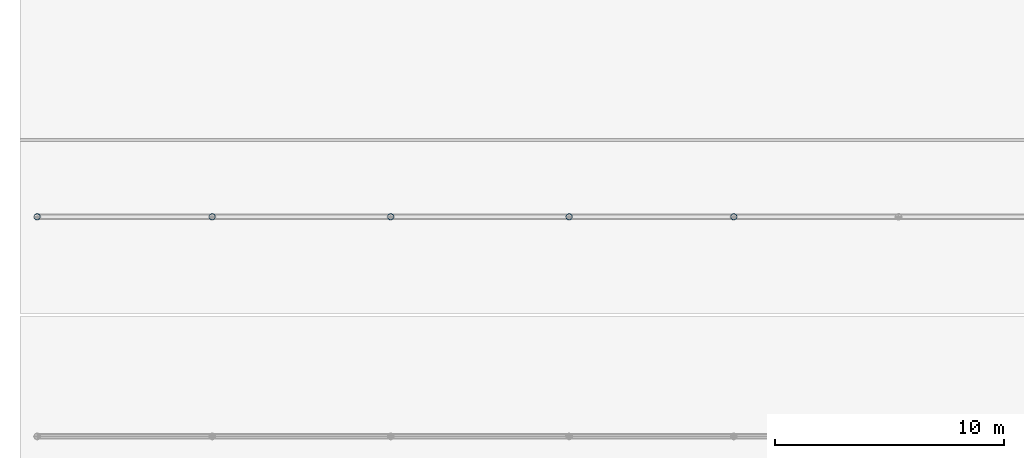
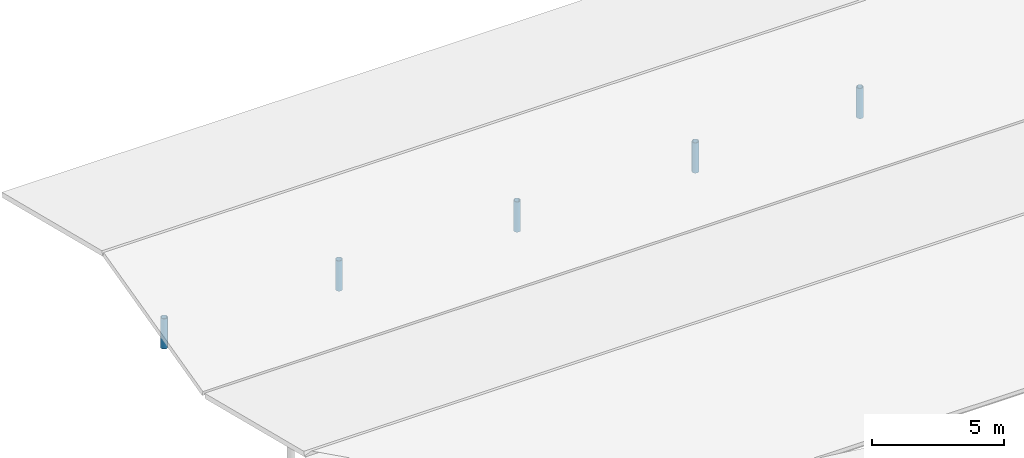
# One storey, part 9 of 91: 5 columns.
"""IFC4 building model written with IfcOpenShell, lengths in metres."""

from ifc_helpers import new_model, si_unit, direction, frame, origin, origin_2d, place, context, subcontext, project, spatial, hollow_circle, extrude, material, material_profile, profile_set, type_object, element, save


model = new_model("IFC4")

# Units and contexts
model_context = context("Model", 3, precision=1e-05, world=origin(), true_north=direction((0.0, 1.0)))
body_context = subcontext(model_context, "Body", "Model", "MODEL_VIEW")
ifc_project = project(units=[si_unit("LENGTHUNIT", "METRE"), si_unit("AREAUNIT", "SQUARE_METRE"), si_unit("VOLUMEUNIT", "CUBIC_METRE"), si_unit("PLANEANGLEUNIT", "RADIAN"), si_unit("MASSUNIT", "GRAM", prefix="KILO")], contexts=[model_context])

# Site, building, storey
site_placement = place(None, origin())
site = spatial("IfcSite", under=ifc_project, at=site_placement, CompositionType="ELEMENT")
building_placement = place(site_placement, origin())
building = spatial("IfcBuilding", under=site, at=building_placement, Name="Valcora Specialist Clinic", CompositionType="ELEMENT")
storey_placement = place(building_placement, frame((0.0, 0.0, 13.60009765625)))
storey = spatial("IfcBuildingStorey", under=building, at=storey_placement, Name="L03", CompositionType="ELEMENT", Elevation=13.60009765625)

# Columns
ifc_material = material(Name="Steel ASTM A500 Grade C", Category="steel")
ifc_material_profile = material_profile(ifc_material, hollow_circle(Radius=0.136474609375, WallThickness=0.011962890625, at=origin_2d()), Name="ST-CHS-273X12")
ifc_profile_set = profile_set([ifc_material_profile], Name="Steel ASTM A500 Grade C")
column_type = type_object("IfcColumnType", Name="TY-COL-CHS273", PredefinedType="COLUMN", material=ifc_profile_set)
for number, where, z_axis, x_axis, name in (
    (1, (0.75, 99.800048828125, 0.0), (0.0, 0.0, 1.0), (1.0, 0.0, 0.0), "Folded roof stub post 0.75-99.8"),
    (2, (8.39990234375, 99.800048828125, 0.0), (0.0, 0.0, 1.0), (1.0, 0.0, 0.0), "Folded roof stub post 8.4-99.8"),
    (3, (16.199951171875, 99.800048828125, 0.0), (0.0, 0.0, 1.0), (1.0, 0.0, 0.0), "Folded roof stub post 16.2-99.8"),
    (4, (24.0, 99.800048828125, 0.0), (0.0, 0.0, 1.0), (1.0, 0.0, 0.0), "Folded roof stub post 24.0-99.8"),
    (5, (31.199951171875, 99.800048828125, 0.0), (0.0, 0.0, 1.0), (1.0, 0.0, 0.0), "Folded roof stub post 31.2-99.8"),
):
    element("IfcColumn", number, at=place(storey_placement, frame(where, z_axis=z_axis, x_axis=x_axis)), inside=storey, type_object=column_type, Name=name, PredefinedType="COLUMN", context=body_context, shape_type="SweptSolid", body=[
        extrude(hollow_circle(Radius=0.136474609375, WallThickness=0.011962890625, at=origin_2d()), origin(), (0.0, 0.0, 1.0), 1.4033203125),
    ])

save(model, "model.ifc")
